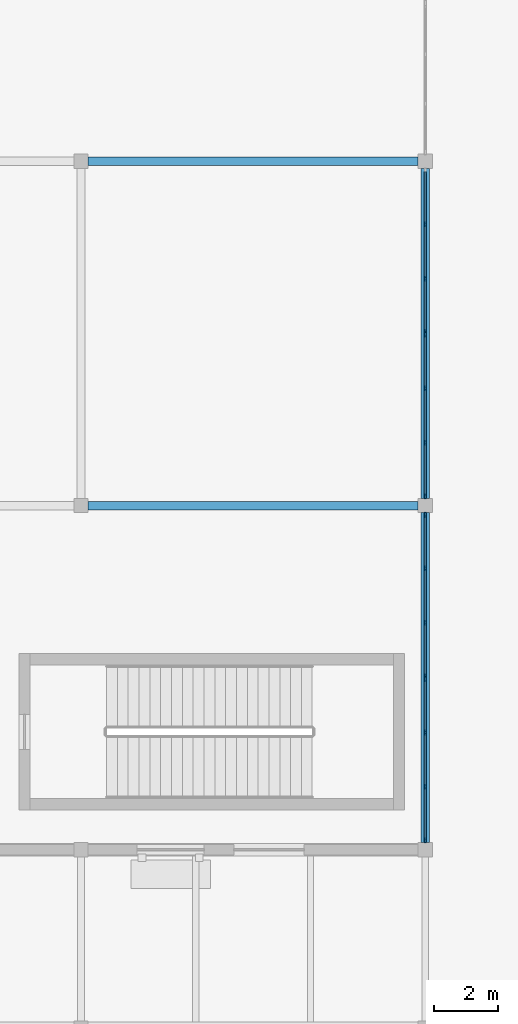
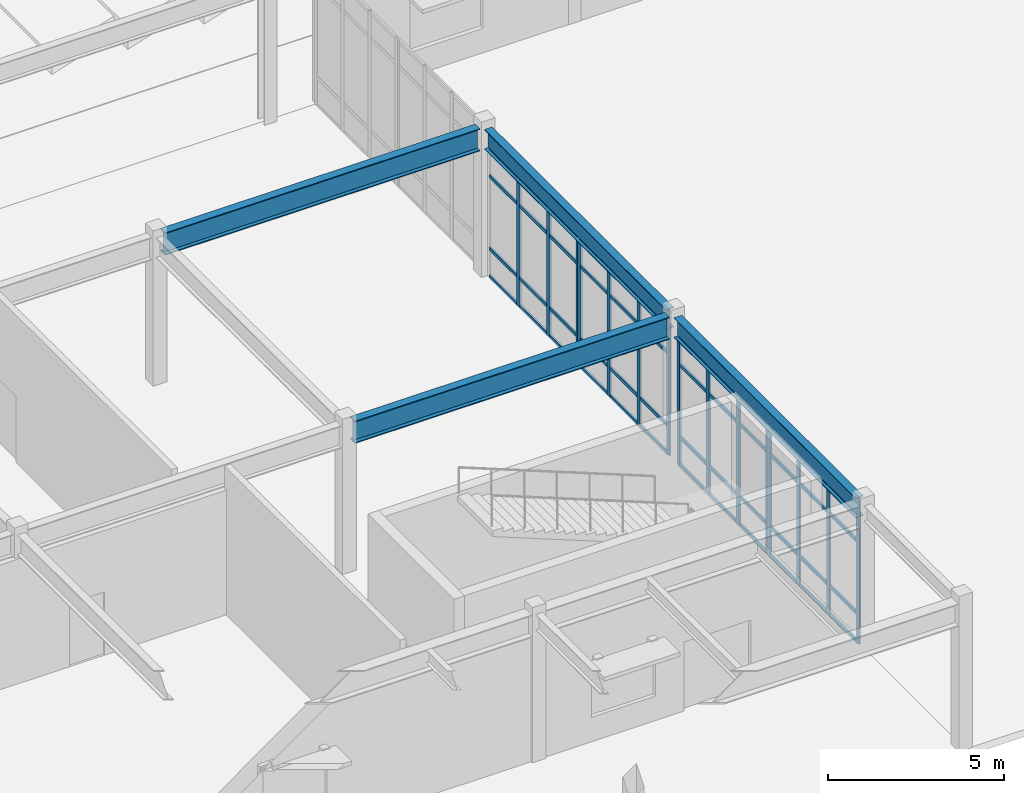
# One storey, part 10 of 54: 63 members, 4 beams, 4 elements without a shape of their own.
"""IFC4 building model written with IfcOpenShell, lengths in metres."""

from ifc_helpers import new_model, si_unit, direction, frame, origin, origin_2d, place, context, subcontext, project, spatial, rectangle, i_section, extrude, material, material_profile, profile_set, type_object, element, aggregate, save


model = new_model("IFC4")

# Units and contexts
model_context = context("Model", 3, precision=1e-05, world=origin(), true_north=direction((0.0, 1.0)))
body_context = subcontext(model_context, "Body", "Model", "MODEL_VIEW")
ifc_project = project(units=[si_unit("LENGTHUNIT", "METRE"), si_unit("AREAUNIT", "SQUARE_METRE"), si_unit("VOLUMEUNIT", "CUBIC_METRE"), si_unit("PLANEANGLEUNIT", "RADIAN"), si_unit("MASSUNIT", "GRAM", prefix="KILO")], contexts=[model_context])

# Site, building, storey
site_placement = place(None, origin())
site = spatial("IfcSite", under=ifc_project, at=site_placement, CompositionType="ELEMENT")
building_placement = place(site_placement, origin())
building = spatial("IfcBuilding", under=site, at=building_placement, Name="Veldera Park Congress Hotel", CompositionType="ELEMENT")
storey_placement = place(building_placement, origin())
storey = spatial("IfcBuildingStorey", under=building, at=storey_placement, Name="L00", CompositionType="ELEMENT", Elevation=0.0)

# Beams
ifc_material_1 = material(Name="Steel ASTM A992 Gr.50", Category="steel")
ifc_material_profile_1 = material_profile(ifc_material_1, i_section(OverallWidth=0.256103515625, OverallDepth=0.693115234375, WebThickness=0.014404296875, FlangeThickness=0.023681640625, at=origin_2d()), Name="W27X114")
ifc_profile_set_1 = profile_set([ifc_material_profile_1], Name="Steel ASTM A992 Gr.50")
beam_type_1 = type_object("IfcBeamType", Name="BM-W27", PredefinedType="BEAM", material=ifc_profile_set_1)
for number, where, z_axis, x_axis, name in (
    (1, (-45.800048828125, -51.97509765625, 4.7734375), (0.0, 1.0, 0.0), (-1.0, 0.0, 0.0), "L00 Girder BM-W27 417"),
    (2, (-45.800048828125, -41.175048828125, 4.7734375), (0.0, 1.0, 0.0), (-1.0, 0.0, 0.0), "L00 Girder BM-W27 418"),
):
    element("IfcBeam", number, at=place(storey_placement, frame(where, z_axis=z_axis, x_axis=x_axis)), inside=storey, type_object=beam_type_1, Name=name, PredefinedType="BEAM", context=body_context, shape_type="SweptSolid", body=[
        extrude(i_section(OverallWidth=0.256103515625, OverallDepth=0.693115234375, WebThickness=0.014404296875, FlangeThickness=0.023681640625, at=origin_2d()), origin(), (0.0, 0.0, 1.0), 10.35009765625),
    ])
ifc_material_profile_2 = material_profile(ifc_material_1, i_section(OverallWidth=0.26708984375, OverallDepth=0.779052734375, WebThickness=0.0166015625, FlangeThickness=0.030029296875, at=origin_2d()), Name="W30X148")
ifc_profile_set_2 = profile_set([ifc_material_profile_2], Name="Steel ASTM A992 Gr.50")
beam_type_2 = type_object("IfcBeamType", Name="BM-W30", PredefinedType="BEAM", material=ifc_profile_set_2)
for number, where, z_axis, x_axis, name in (
    (3, (-56.375, -41.39990234375, 4.73046875), (1.0, 0.0, 0.0), (0.0, 1.0, 0.0), "L00 Girder BM-W30 288"),
    (4, (-56.375, -30.60009765625, 4.73046875), (1.0, 0.0, 0.0), (0.0, 1.0, 0.0), "L00 Girder BM-W30 294"),
):
    element("IfcBeam", number, at=place(storey_placement, frame(where, z_axis=z_axis, x_axis=x_axis)), inside=storey, type_object=beam_type_2, Name=name, PredefinedType="BEAM", context=body_context, shape_type="SweptSolid", body=[
        extrude(i_section(OverallWidth=0.26708984375, OverallDepth=0.779052734375, WebThickness=0.0166015625, FlangeThickness=0.030029296875, at=origin_2d()), origin(), (0.0, 0.0, 1.0), 10.35009765625),
    ])

# Curtain wall, members
ifc_material_2 = material(Name="Low-E Triple Insulating Glass Unit (SHGC 0.22)", Category="glass")
curtain_wall_type = type_object("IfcCurtainWallType", Name="CW-SPA", PredefinedType="NOTDEFINED", material=ifc_material_2)
curtain_wall_1_placement = place(storey_placement, origin())
curtain_wall_1 = element("IfcCurtainWall", 5, at=curtain_wall_1_placement, inside=storey, type_object=curtain_wall_type, Name="L00 Curtain Wall CW3-V3E-L00-005", PredefinedType="NOTDEFINED")
ifc_material_3 = material(Name="Anodised Aluminium Alloy 6063-T6", Category="aluminium")
ifc_material_profile_3 = material_profile(ifc_material_3, rectangle(XDim=0.06005859375, YDim=0.159912109375, at=origin_2d()), Name="ALU 60x160")
ifc_profile_set_3 = profile_set([ifc_material_profile_3], Name="Anodised Aluminium Alloy 6063-T6")
member_type_1 = type_object("IfcMemberType", Name="CWM-160", PredefinedType="MULLION", material=ifc_profile_set_3)
member_1_placement = place(storey_placement, frame((-45.800048828125, -51.905029296875, 0.0), z_axis=(0.0, 0.0, 1.0), x_axis=(-1.0, 0.0, 0.0)))
member_1 = element("IfcMember", 6, at=member_1_placement, type_object=member_type_1, Name="CW-SPA mullion 1", PredefinedType="MULLION", context=body_context, shape_type="SweptSolid", body=[
    extrude(rectangle(XDim=0.06005859375, YDim=0.159912109375, at=origin_2d()), origin(), (0.0, 0.0, 1.0), 4.422119140625),
])
member_2_placement = place(storey_placement, frame((-45.800048828125, -50.228271484375, 0.0), z_axis=(0.0, 0.0, 1.0), x_axis=(-1.0, 0.0, 0.0)))
member_2 = element("IfcMember", 7, at=member_2_placement, type_object=member_type_1, Name="CW-SPA mullion 2", PredefinedType="MULLION", context=body_context, shape_type="SweptSolid", body=[
    extrude(rectangle(XDim=0.06005859375, YDim=0.159912109375, at=origin_2d()), origin(), (0.0, 0.0, 1.0), 4.422119140625),
])
member_3_placement = place(storey_placement, frame((-45.800048828125, -48.521728515625, 0.0), z_axis=(0.0, 0.0, 1.0), x_axis=(-1.0, 0.0, 0.0)))
member_3 = element("IfcMember", 8, at=member_3_placement, type_object=member_type_1, Name="CW-SPA mullion 3", PredefinedType="MULLION", context=body_context, shape_type="SweptSolid", body=[
    extrude(rectangle(XDim=0.06005859375, YDim=0.159912109375, at=origin_2d()), origin(), (0.0, 0.0, 1.0), 4.422119140625),
])
member_4_placement = place(storey_placement, frame((-45.800048828125, -46.844970703125, 0.0), z_axis=(0.0, 0.0, 1.0), x_axis=(-1.0, 0.0, 0.0)))
member_4 = element("IfcMember", 9, at=member_4_placement, type_object=member_type_1, Name="CW-SPA mullion 4", PredefinedType="MULLION", context=body_context, shape_type="SweptSolid", body=[
    extrude(rectangle(XDim=0.06005859375, YDim=0.159912109375, at=origin_2d()), origin(), (0.0, 0.0, 1.0), 4.422119140625),
])

curtain_wall_2_placement = place(storey_placement, origin())
curtain_wall_2 = element("IfcCurtainWall", 10, at=curtain_wall_2_placement, inside=storey, type_object=curtain_wall_type, Name="L00 Curtain Wall CW3-V3E-L00-006", PredefinedType="NOTDEFINED")
member_5_placement = place(storey_placement, frame((-45.800048828125, -46.7548828125, 0.0), z_axis=(0.0, 0.0, 1.0), x_axis=(-1.0, 0.0, 0.0)))
member_5 = element("IfcMember", 11, at=member_5_placement, type_object=member_type_1, Name="CW-SPA mullion 1", PredefinedType="MULLION", context=body_context, shape_type="SweptSolid", body=[
    extrude(rectangle(XDim=0.06005859375, YDim=0.159912109375, at=origin_2d()), origin(), (0.0, 0.0, 1.0), 4.422119140625),
])
member_6_placement = place(storey_placement, frame((-45.800048828125, -45.078369140625, 0.0), z_axis=(0.0, 0.0, 1.0), x_axis=(-1.0, 0.0, 0.0)))
member_6 = element("IfcMember", 12, at=member_6_placement, type_object=member_type_1, Name="CW-SPA mullion 2", PredefinedType="MULLION", context=body_context, shape_type="SweptSolid", body=[
    extrude(rectangle(XDim=0.06005859375, YDim=0.159912109375, at=origin_2d()), origin(), (0.0, 0.0, 1.0), 4.422119140625),
])
member_7_placement = place(storey_placement, frame((-45.800048828125, -43.37158203125, 0.0), z_axis=(0.0, 0.0, 1.0), x_axis=(-1.0, 0.0, 0.0)))
member_7 = element("IfcMember", 13, at=member_7_placement, type_object=member_type_1, Name="CW-SPA mullion 3", PredefinedType="MULLION", context=body_context, shape_type="SweptSolid", body=[
    extrude(rectangle(XDim=0.06005859375, YDim=0.159912109375, at=origin_2d()), origin(), (0.0, 0.0, 1.0), 4.422119140625),
])
member_8_placement = place(storey_placement, frame((-45.800048828125, -41.695068359375, 0.0), z_axis=(0.0, 0.0, 1.0), x_axis=(-1.0, 0.0, 0.0)))
member_8 = element("IfcMember", 14, at=member_8_placement, type_object=member_type_1, Name="CW-SPA mullion 4", PredefinedType="MULLION", context=body_context, shape_type="SweptSolid", body=[
    extrude(rectangle(XDim=0.06005859375, YDim=0.159912109375, at=origin_2d()), origin(), (0.0, 0.0, 1.0), 4.422119140625),
])

curtain_wall_3_placement = place(storey_placement, origin())
curtain_wall_3 = element("IfcCurtainWall", 15, at=curtain_wall_3_placement, inside=storey, type_object=curtain_wall_type, Name="L00 Curtain Wall CW3-V3E-L00-007", PredefinedType="NOTDEFINED")
member_9_placement = place(storey_placement, frame((-45.800048828125, -41.10498046875, 0.0), z_axis=(0.0, 0.0, 1.0), x_axis=(-1.0, 0.0, 0.0)))
member_9 = element("IfcMember", 16, at=member_9_placement, type_object=member_type_1, Name="CW-SPA mullion 1", PredefinedType="MULLION", context=body_context, shape_type="SweptSolid", body=[
    extrude(rectangle(XDim=0.06005859375, YDim=0.159912109375, at=origin_2d()), origin(), (0.0, 0.0, 1.0), 4.422119140625),
])
member_10_placement = place(storey_placement, frame((-45.800048828125, -39.42822265625, 0.0), z_axis=(0.0, 0.0, 1.0), x_axis=(-1.0, 0.0, 0.0)))
member_10 = element("IfcMember", 17, at=member_10_placement, type_object=member_type_1, Name="CW-SPA mullion 2", PredefinedType="MULLION", context=body_context, shape_type="SweptSolid", body=[
    extrude(rectangle(XDim=0.06005859375, YDim=0.159912109375, at=origin_2d()), origin(), (0.0, 0.0, 1.0), 4.422119140625),
])
member_11_placement = place(storey_placement, frame((-45.800048828125, -37.7216796875, 0.0), z_axis=(0.0, 0.0, 1.0), x_axis=(-1.0, 0.0, 0.0)))
member_11 = element("IfcMember", 18, at=member_11_placement, type_object=member_type_1, Name="CW-SPA mullion 3", PredefinedType="MULLION", context=body_context, shape_type="SweptSolid", body=[
    extrude(rectangle(XDim=0.06005859375, YDim=0.159912109375, at=origin_2d()), origin(), (0.0, 0.0, 1.0), 4.422119140625),
])
member_12_placement = place(storey_placement, frame((-45.800048828125, -36.044921875, 0.0), z_axis=(0.0, 0.0, 1.0), x_axis=(-1.0, 0.0, 0.0)))
member_12 = element("IfcMember", 19, at=member_12_placement, type_object=member_type_1, Name="CW-SPA mullion 4", PredefinedType="MULLION", context=body_context, shape_type="SweptSolid", body=[
    extrude(rectangle(XDim=0.06005859375, YDim=0.159912109375, at=origin_2d()), origin(), (0.0, 0.0, 1.0), 4.422119140625),
])

curtain_wall_4_placement = place(storey_placement, origin())
curtain_wall_4 = element("IfcCurtainWall", 20, at=curtain_wall_4_placement, inside=storey, type_object=curtain_wall_type, Name="L00 Curtain Wall CW3-V3E-L00-008", PredefinedType="NOTDEFINED")
member_13_placement = place(storey_placement, frame((-45.800048828125, -35.955078125, 0.0), z_axis=(0.0, 0.0, 1.0), x_axis=(-1.0, 0.0, 0.0)))
member_13 = element("IfcMember", 21, at=member_13_placement, type_object=member_type_1, Name="CW-SPA mullion 1", PredefinedType="MULLION", context=body_context, shape_type="SweptSolid", body=[
    extrude(rectangle(XDim=0.06005859375, YDim=0.159912109375, at=origin_2d()), origin(), (0.0, 0.0, 1.0), 4.422119140625),
])
member_14_placement = place(storey_placement, frame((-45.800048828125, -34.2783203125, 0.0), z_axis=(0.0, 0.0, 1.0), x_axis=(-1.0, 0.0, 0.0)))
member_14 = element("IfcMember", 22, at=member_14_placement, type_object=member_type_1, Name="CW-SPA mullion 2", PredefinedType="MULLION", context=body_context, shape_type="SweptSolid", body=[
    extrude(rectangle(XDim=0.06005859375, YDim=0.159912109375, at=origin_2d()), origin(), (0.0, 0.0, 1.0), 4.422119140625),
])
member_15_placement = place(storey_placement, frame((-45.800048828125, -32.57177734375, 0.0), z_axis=(0.0, 0.0, 1.0), x_axis=(-1.0, 0.0, 0.0)))
member_15 = element("IfcMember", 23, at=member_15_placement, type_object=member_type_1, Name="CW-SPA mullion 3", PredefinedType="MULLION", context=body_context, shape_type="SweptSolid", body=[
    extrude(rectangle(XDim=0.06005859375, YDim=0.159912109375, at=origin_2d()), origin(), (0.0, 0.0, 1.0), 4.422119140625),
])

# Member
ifc_material_profile_4 = material_profile(ifc_material_3, rectangle(XDim=0.06005859375, YDim=0.1201171875, at=origin_2d()), Name="ALU 60x120")
ifc_profile_set_4 = profile_set([ifc_material_profile_4], Name="Anodised Aluminium Alloy 6063-T6")
member_type_2 = type_object("IfcMemberType", Name="CWT-120", PredefinedType="USERDEFINED", material=ifc_profile_set_4)
member_16_placement = place(storey_placement, frame((-45.800048828125, -51.875, 0.030029296875), z_axis=(0.0, 1.0, 0.0), x_axis=(-1.0, 0.0, 0.0)))
member_16 = element("IfcMember", 24, at=member_16_placement, type_object=member_type_2, Name="CW-SPA transom 1.1", ObjectType="TRANSOM", PredefinedType="USERDEFINED", context=body_context, shape_type="SweptSolid", body=[
    extrude(rectangle(XDim=0.06005859375, YDim=0.1201171875, at=origin_2d()), origin(), (0.0, 0.0, 1.0), 1.61669921875),
])

member_17_placement = place(storey_placement, frame((-45.800048828125, -51.875, 1.0), z_axis=(0.0, 1.0, 0.0), x_axis=(-1.0, 0.0, 0.0)))
member_17 = element("IfcMember", 25, at=member_17_placement, type_object=member_type_2, Name="CW-SPA transom 1.2", ObjectType="TRANSOM", PredefinedType="USERDEFINED", context=body_context, shape_type="SweptSolid", body=[
    extrude(rectangle(XDim=0.06005859375, YDim=0.1201171875, at=origin_2d()), origin(), (0.0, 0.0, 1.0), 1.61669921875),
])

member_18_placement = place(storey_placement, frame((-45.800048828125, -51.875, 3.52197265625), z_axis=(0.0, 1.0, 0.0), x_axis=(-1.0, 0.0, 0.0)))
member_18 = element("IfcMember", 26, at=member_18_placement, type_object=member_type_2, Name="CW-SPA transom 1.3", ObjectType="TRANSOM", PredefinedType="USERDEFINED", context=body_context, shape_type="SweptSolid", body=[
    extrude(rectangle(XDim=0.06005859375, YDim=0.1201171875, at=origin_2d()), origin(), (0.0, 0.0, 1.0), 1.61669921875),
])

member_19_placement = place(storey_placement, frame((-45.800048828125, -51.875, 4.39208984375), z_axis=(0.0, 1.0, 0.0), x_axis=(-1.0, 0.0, 0.0)))
member_19 = element("IfcMember", 27, at=member_19_placement, type_object=member_type_2, Name="CW-SPA transom 1.4", ObjectType="TRANSOM", PredefinedType="USERDEFINED", context=body_context, shape_type="SweptSolid", body=[
    extrude(rectangle(XDim=0.06005859375, YDim=0.1201171875, at=origin_2d()), origin(), (0.0, 0.0, 1.0), 1.61669921875),
])

member_20_placement = place(storey_placement, frame((-45.800048828125, -50.1982421875, 0.030029296875), z_axis=(0.0, 1.0, 0.0), x_axis=(-1.0, 0.0, 0.0)))
member_20 = element("IfcMember", 28, at=member_20_placement, type_object=member_type_2, Name="CW-SPA transom 2.1", ObjectType="TRANSOM", PredefinedType="USERDEFINED", context=body_context, shape_type="SweptSolid", body=[
    extrude(rectangle(XDim=0.06005859375, YDim=0.1201171875, at=origin_2d()), origin(), (0.0, 0.0, 1.0), 1.646484375),
])

member_21_placement = place(storey_placement, frame((-45.800048828125, -50.1982421875, 1.0), z_axis=(0.0, 1.0, 0.0), x_axis=(-1.0, 0.0, 0.0)))
member_21 = element("IfcMember", 29, at=member_21_placement, type_object=member_type_2, Name="CW-SPA transom 2.2", ObjectType="TRANSOM", PredefinedType="USERDEFINED", context=body_context, shape_type="SweptSolid", body=[
    extrude(rectangle(XDim=0.06005859375, YDim=0.1201171875, at=origin_2d()), origin(), (0.0, 0.0, 1.0), 1.646484375),
])

member_22_placement = place(storey_placement, frame((-45.800048828125, -50.1982421875, 3.52197265625), z_axis=(0.0, 1.0, 0.0), x_axis=(-1.0, 0.0, 0.0)))
member_22 = element("IfcMember", 30, at=member_22_placement, type_object=member_type_2, Name="CW-SPA transom 2.3", ObjectType="TRANSOM", PredefinedType="USERDEFINED", context=body_context, shape_type="SweptSolid", body=[
    extrude(rectangle(XDim=0.06005859375, YDim=0.1201171875, at=origin_2d()), origin(), (0.0, 0.0, 1.0), 1.646484375),
])

member_23_placement = place(storey_placement, frame((-45.800048828125, -50.1982421875, 4.39208984375), z_axis=(0.0, 1.0, 0.0), x_axis=(-1.0, 0.0, 0.0)))
member_23 = element("IfcMember", 31, at=member_23_placement, type_object=member_type_2, Name="CW-SPA transom 2.4", ObjectType="TRANSOM", PredefinedType="USERDEFINED", context=body_context, shape_type="SweptSolid", body=[
    extrude(rectangle(XDim=0.06005859375, YDim=0.1201171875, at=origin_2d()), origin(), (0.0, 0.0, 1.0), 1.646484375),
])

member_24_placement = place(storey_placement, frame((-45.800048828125, -48.49169921875, 0.030029296875), z_axis=(0.0, 1.0, 0.0), x_axis=(-1.0, 0.0, 0.0)))
member_24 = element("IfcMember", 32, at=member_24_placement, type_object=member_type_2, Name="CW-SPA transom 3.1", ObjectType="TRANSOM", PredefinedType="USERDEFINED", context=body_context, shape_type="SweptSolid", body=[
    extrude(rectangle(XDim=0.06005859375, YDim=0.1201171875, at=origin_2d()), origin(), (0.0, 0.0, 1.0), 1.61669921875),
])

member_25_placement = place(storey_placement, frame((-45.800048828125, -48.49169921875, 1.0), z_axis=(0.0, 1.0, 0.0), x_axis=(-1.0, 0.0, 0.0)))
member_25 = element("IfcMember", 33, at=member_25_placement, type_object=member_type_2, Name="CW-SPA transom 3.2", ObjectType="TRANSOM", PredefinedType="USERDEFINED", context=body_context, shape_type="SweptSolid", body=[
    extrude(rectangle(XDim=0.06005859375, YDim=0.1201171875, at=origin_2d()), origin(), (0.0, 0.0, 1.0), 1.61669921875),
])

member_26_placement = place(storey_placement, frame((-45.800048828125, -48.49169921875, 3.52197265625), z_axis=(0.0, 1.0, 0.0), x_axis=(-1.0, 0.0, 0.0)))
member_26 = element("IfcMember", 34, at=member_26_placement, type_object=member_type_2, Name="CW-SPA transom 3.3", ObjectType="TRANSOM", PredefinedType="USERDEFINED", context=body_context, shape_type="SweptSolid", body=[
    extrude(rectangle(XDim=0.06005859375, YDim=0.1201171875, at=origin_2d()), origin(), (0.0, 0.0, 1.0), 1.61669921875),
])

member_27_placement = place(storey_placement, frame((-45.800048828125, -48.49169921875, 4.39208984375), z_axis=(0.0, 1.0, 0.0), x_axis=(-1.0, 0.0, 0.0)))
member_27 = element("IfcMember", 35, at=member_27_placement, type_object=member_type_2, Name="CW-SPA transom 3.4", ObjectType="TRANSOM", PredefinedType="USERDEFINED", context=body_context, shape_type="SweptSolid", body=[
    extrude(rectangle(XDim=0.06005859375, YDim=0.1201171875, at=origin_2d()), origin(), (0.0, 0.0, 1.0), 1.61669921875),
])

aggregate(curtain_wall_1, [member_1, member_2, member_3, member_4, member_16, member_17, member_18, member_19, member_20, member_21, member_22, member_23, member_24, member_25, member_26, member_27])

member_28_placement = place(storey_placement, frame((-45.800048828125, -46.72509765625, 0.030029296875), z_axis=(0.0, 1.0, 0.0), x_axis=(-1.0, 0.0, 0.0)))
member_28 = element("IfcMember", 36, at=member_28_placement, type_object=member_type_2, Name="CW-SPA transom 1.1", ObjectType="TRANSOM", PredefinedType="USERDEFINED", context=body_context, shape_type="SweptSolid", body=[
    extrude(rectangle(XDim=0.06005859375, YDim=0.1201171875, at=origin_2d()), origin(), (0.0, 0.0, 1.0), 1.61669921875),
])

member_29_placement = place(storey_placement, frame((-45.800048828125, -46.72509765625, 1.0), z_axis=(0.0, 1.0, 0.0), x_axis=(-1.0, 0.0, 0.0)))
member_29 = element("IfcMember", 37, at=member_29_placement, type_object=member_type_2, Name="CW-SPA transom 1.2", ObjectType="TRANSOM", PredefinedType="USERDEFINED", context=body_context, shape_type="SweptSolid", body=[
    extrude(rectangle(XDim=0.06005859375, YDim=0.1201171875, at=origin_2d()), origin(), (0.0, 0.0, 1.0), 1.61669921875),
])

member_30_placement = place(storey_placement, frame((-45.800048828125, -46.72509765625, 3.52197265625), z_axis=(0.0, 1.0, 0.0), x_axis=(-1.0, 0.0, 0.0)))
member_30 = element("IfcMember", 38, at=member_30_placement, type_object=member_type_2, Name="CW-SPA transom 1.3", ObjectType="TRANSOM", PredefinedType="USERDEFINED", context=body_context, shape_type="SweptSolid", body=[
    extrude(rectangle(XDim=0.06005859375, YDim=0.1201171875, at=origin_2d()), origin(), (0.0, 0.0, 1.0), 1.61669921875),
])

member_31_placement = place(storey_placement, frame((-45.800048828125, -46.72509765625, 4.39208984375), z_axis=(0.0, 1.0, 0.0), x_axis=(-1.0, 0.0, 0.0)))
member_31 = element("IfcMember", 39, at=member_31_placement, type_object=member_type_2, Name="CW-SPA transom 1.4", ObjectType="TRANSOM", PredefinedType="USERDEFINED", context=body_context, shape_type="SweptSolid", body=[
    extrude(rectangle(XDim=0.06005859375, YDim=0.1201171875, at=origin_2d()), origin(), (0.0, 0.0, 1.0), 1.61669921875),
])

member_32_placement = place(storey_placement, frame((-45.800048828125, -45.04833984375, 0.030029296875), z_axis=(0.0, 1.0, 0.0), x_axis=(-1.0, 0.0, 0.0)))
member_32 = element("IfcMember", 40, at=member_32_placement, type_object=member_type_2, Name="CW-SPA transom 2.1", ObjectType="TRANSOM", PredefinedType="USERDEFINED", context=body_context, shape_type="SweptSolid", body=[
    extrude(rectangle(XDim=0.06005859375, YDim=0.1201171875, at=origin_2d()), origin(), (0.0, 0.0, 1.0), 1.646728515625),
])

member_33_placement = place(storey_placement, frame((-45.800048828125, -45.04833984375, 1.0), z_axis=(0.0, 1.0, 0.0), x_axis=(-1.0, 0.0, 0.0)))
member_33 = element("IfcMember", 41, at=member_33_placement, type_object=member_type_2, Name="CW-SPA transom 2.2", ObjectType="TRANSOM", PredefinedType="USERDEFINED", context=body_context, shape_type="SweptSolid", body=[
    extrude(rectangle(XDim=0.06005859375, YDim=0.1201171875, at=origin_2d()), origin(), (0.0, 0.0, 1.0), 1.646728515625),
])

member_34_placement = place(storey_placement, frame((-45.800048828125, -45.04833984375, 3.52197265625), z_axis=(0.0, 1.0, 0.0), x_axis=(-1.0, 0.0, 0.0)))
member_34 = element("IfcMember", 42, at=member_34_placement, type_object=member_type_2, Name="CW-SPA transom 2.3", ObjectType="TRANSOM", PredefinedType="USERDEFINED", context=body_context, shape_type="SweptSolid", body=[
    extrude(rectangle(XDim=0.06005859375, YDim=0.1201171875, at=origin_2d()), origin(), (0.0, 0.0, 1.0), 1.646728515625),
])

member_35_placement = place(storey_placement, frame((-45.800048828125, -45.04833984375, 4.39208984375), z_axis=(0.0, 1.0, 0.0), x_axis=(-1.0, 0.0, 0.0)))
member_35 = element("IfcMember", 43, at=member_35_placement, type_object=member_type_2, Name="CW-SPA transom 2.4", ObjectType="TRANSOM", PredefinedType="USERDEFINED", context=body_context, shape_type="SweptSolid", body=[
    extrude(rectangle(XDim=0.06005859375, YDim=0.1201171875, at=origin_2d()), origin(), (0.0, 0.0, 1.0), 1.646728515625),
])

member_36_placement = place(storey_placement, frame((-45.800048828125, -43.341552734375, 0.030029296875), z_axis=(0.0, 1.0, 0.0), x_axis=(-1.0, 0.0, 0.0)))
member_36 = element("IfcMember", 44, at=member_36_placement, type_object=member_type_2, Name="CW-SPA transom 3.1", ObjectType="TRANSOM", PredefinedType="USERDEFINED", context=body_context, shape_type="SweptSolid", body=[
    extrude(rectangle(XDim=0.06005859375, YDim=0.1201171875, at=origin_2d()), origin(), (0.0, 0.0, 1.0), 1.616455078125),
])

member_37_placement = place(storey_placement, frame((-45.800048828125, -43.341552734375, 1.0), z_axis=(0.0, 1.0, 0.0), x_axis=(-1.0, 0.0, 0.0)))
member_37 = element("IfcMember", 45, at=member_37_placement, type_object=member_type_2, Name="CW-SPA transom 3.2", ObjectType="TRANSOM", PredefinedType="USERDEFINED", context=body_context, shape_type="SweptSolid", body=[
    extrude(rectangle(XDim=0.06005859375, YDim=0.1201171875, at=origin_2d()), origin(), (0.0, 0.0, 1.0), 1.616455078125),
])

member_38_placement = place(storey_placement, frame((-45.800048828125, -43.341552734375, 3.52197265625), z_axis=(0.0, 1.0, 0.0), x_axis=(-1.0, 0.0, 0.0)))
member_38 = element("IfcMember", 46, at=member_38_placement, type_object=member_type_2, Name="CW-SPA transom 3.3", ObjectType="TRANSOM", PredefinedType="USERDEFINED", context=body_context, shape_type="SweptSolid", body=[
    extrude(rectangle(XDim=0.06005859375, YDim=0.1201171875, at=origin_2d()), origin(), (0.0, 0.0, 1.0), 1.616455078125),
])

member_39_placement = place(storey_placement, frame((-45.800048828125, -43.341552734375, 4.39208984375), z_axis=(0.0, 1.0, 0.0), x_axis=(-1.0, 0.0, 0.0)))
member_39 = element("IfcMember", 47, at=member_39_placement, type_object=member_type_2, Name="CW-SPA transom 3.4", ObjectType="TRANSOM", PredefinedType="USERDEFINED", context=body_context, shape_type="SweptSolid", body=[
    extrude(rectangle(XDim=0.06005859375, YDim=0.1201171875, at=origin_2d()), origin(), (0.0, 0.0, 1.0), 1.616455078125),
])

aggregate(curtain_wall_2, [member_5, member_6, member_7, member_8, member_28, member_29, member_30, member_31, member_32, member_33, member_34, member_35, member_36, member_37, member_38, member_39])

member_40_placement = place(storey_placement, frame((-45.800048828125, -41.074951171875, 0.030029296875), z_axis=(0.0, 1.0, 0.0), x_axis=(-1.0, 0.0, 0.0)))
member_40 = element("IfcMember", 48, at=member_40_placement, type_object=member_type_2, Name="CW-SPA transom 1.1", ObjectType="TRANSOM", PredefinedType="USERDEFINED", context=body_context, shape_type="SweptSolid", body=[
    extrude(rectangle(XDim=0.06005859375, YDim=0.1201171875, at=origin_2d()), origin(), (0.0, 0.0, 1.0), 1.61669921875),
])

member_41_placement = place(storey_placement, frame((-45.800048828125, -41.074951171875, 1.0), z_axis=(0.0, 1.0, 0.0), x_axis=(-1.0, 0.0, 0.0)))
member_41 = element("IfcMember", 49, at=member_41_placement, type_object=member_type_2, Name="CW-SPA transom 1.2", ObjectType="TRANSOM", PredefinedType="USERDEFINED", context=body_context, shape_type="SweptSolid", body=[
    extrude(rectangle(XDim=0.06005859375, YDim=0.1201171875, at=origin_2d()), origin(), (0.0, 0.0, 1.0), 1.61669921875),
])

member_42_placement = place(storey_placement, frame((-45.800048828125, -41.074951171875, 3.52197265625), z_axis=(0.0, 1.0, 0.0), x_axis=(-1.0, 0.0, 0.0)))
member_42 = element("IfcMember", 50, at=member_42_placement, type_object=member_type_2, Name="CW-SPA transom 1.3", ObjectType="TRANSOM", PredefinedType="USERDEFINED", context=body_context, shape_type="SweptSolid", body=[
    extrude(rectangle(XDim=0.06005859375, YDim=0.1201171875, at=origin_2d()), origin(), (0.0, 0.0, 1.0), 1.61669921875),
])

member_43_placement = place(storey_placement, frame((-45.800048828125, -41.074951171875, 4.39208984375), z_axis=(0.0, 1.0, 0.0), x_axis=(-1.0, 0.0, 0.0)))
member_43 = element("IfcMember", 51, at=member_43_placement, type_object=member_type_2, Name="CW-SPA transom 1.4", ObjectType="TRANSOM", PredefinedType="USERDEFINED", context=body_context, shape_type="SweptSolid", body=[
    extrude(rectangle(XDim=0.06005859375, YDim=0.1201171875, at=origin_2d()), origin(), (0.0, 0.0, 1.0), 1.61669921875),
])

member_44_placement = place(storey_placement, frame((-45.800048828125, -39.3984375, 0.030029296875), z_axis=(0.0, 1.0, 0.0), x_axis=(-1.0, 0.0, 0.0)))
member_44 = element("IfcMember", 52, at=member_44_placement, type_object=member_type_2, Name="CW-SPA transom 2.1", ObjectType="TRANSOM", PredefinedType="USERDEFINED", context=body_context, shape_type="SweptSolid", body=[
    extrude(rectangle(XDim=0.06005859375, YDim=0.1201171875, at=origin_2d()), origin(), (0.0, 0.0, 1.0), 1.646728515625),
])

member_45_placement = place(storey_placement, frame((-45.800048828125, -39.3984375, 1.0), z_axis=(0.0, 1.0, 0.0), x_axis=(-1.0, 0.0, 0.0)))
member_45 = element("IfcMember", 53, at=member_45_placement, type_object=member_type_2, Name="CW-SPA transom 2.2", ObjectType="TRANSOM", PredefinedType="USERDEFINED", context=body_context, shape_type="SweptSolid", body=[
    extrude(rectangle(XDim=0.06005859375, YDim=0.1201171875, at=origin_2d()), origin(), (0.0, 0.0, 1.0), 1.646728515625),
])

member_46_placement = place(storey_placement, frame((-45.800048828125, -39.3984375, 3.52197265625), z_axis=(0.0, 1.0, 0.0), x_axis=(-1.0, 0.0, 0.0)))
member_46 = element("IfcMember", 54, at=member_46_placement, type_object=member_type_2, Name="CW-SPA transom 2.3", ObjectType="TRANSOM", PredefinedType="USERDEFINED", context=body_context, shape_type="SweptSolid", body=[
    extrude(rectangle(XDim=0.06005859375, YDim=0.1201171875, at=origin_2d()), origin(), (0.0, 0.0, 1.0), 1.646728515625),
])

member_47_placement = place(storey_placement, frame((-45.800048828125, -39.3984375, 4.39208984375), z_axis=(0.0, 1.0, 0.0), x_axis=(-1.0, 0.0, 0.0)))
member_47 = element("IfcMember", 55, at=member_47_placement, type_object=member_type_2, Name="CW-SPA transom 2.4", ObjectType="TRANSOM", PredefinedType="USERDEFINED", context=body_context, shape_type="SweptSolid", body=[
    extrude(rectangle(XDim=0.06005859375, YDim=0.1201171875, at=origin_2d()), origin(), (0.0, 0.0, 1.0), 1.646728515625),
])

member_48_placement = place(storey_placement, frame((-45.800048828125, -37.691650390625, 0.030029296875), z_axis=(0.0, 1.0, 0.0), x_axis=(-1.0, 0.0, 0.0)))
member_48 = element("IfcMember", 56, at=member_48_placement, type_object=member_type_2, Name="CW-SPA transom 3.1", ObjectType="TRANSOM", PredefinedType="USERDEFINED", context=body_context, shape_type="SweptSolid", body=[
    extrude(rectangle(XDim=0.06005859375, YDim=0.1201171875, at=origin_2d()), origin(), (0.0, 0.0, 1.0), 1.61669921875),
])

member_49_placement = place(storey_placement, frame((-45.800048828125, -37.691650390625, 1.0), z_axis=(0.0, 1.0, 0.0), x_axis=(-1.0, 0.0, 0.0)))
member_49 = element("IfcMember", 57, at=member_49_placement, type_object=member_type_2, Name="CW-SPA transom 3.2", ObjectType="TRANSOM", PredefinedType="USERDEFINED", context=body_context, shape_type="SweptSolid", body=[
    extrude(rectangle(XDim=0.06005859375, YDim=0.1201171875, at=origin_2d()), origin(), (0.0, 0.0, 1.0), 1.61669921875),
])

member_50_placement = place(storey_placement, frame((-45.800048828125, -37.691650390625, 3.52197265625), z_axis=(0.0, 1.0, 0.0), x_axis=(-1.0, 0.0, 0.0)))
member_50 = element("IfcMember", 58, at=member_50_placement, type_object=member_type_2, Name="CW-SPA transom 3.3", ObjectType="TRANSOM", PredefinedType="USERDEFINED", context=body_context, shape_type="SweptSolid", body=[
    extrude(rectangle(XDim=0.06005859375, YDim=0.1201171875, at=origin_2d()), origin(), (0.0, 0.0, 1.0), 1.61669921875),
])

member_51_placement = place(storey_placement, frame((-45.800048828125, -37.691650390625, 4.39208984375), z_axis=(0.0, 1.0, 0.0), x_axis=(-1.0, 0.0, 0.0)))
member_51 = element("IfcMember", 59, at=member_51_placement, type_object=member_type_2, Name="CW-SPA transom 3.4", ObjectType="TRANSOM", PredefinedType="USERDEFINED", context=body_context, shape_type="SweptSolid", body=[
    extrude(rectangle(XDim=0.06005859375, YDim=0.1201171875, at=origin_2d()), origin(), (0.0, 0.0, 1.0), 1.61669921875),
])

aggregate(curtain_wall_3, [member_9, member_10, member_11, member_12, member_40, member_41, member_42, member_43, member_44, member_45, member_46, member_47, member_48, member_49, member_50, member_51])

member_52_placement = place(storey_placement, frame((-45.800048828125, -35.925048828125, 0.030029296875), z_axis=(0.0, 1.0, 0.0), x_axis=(-1.0, 0.0, 0.0)))
member_52 = element("IfcMember", 60, at=member_52_placement, type_object=member_type_2, Name="CW-SPA transom 1.1", ObjectType="TRANSOM", PredefinedType="USERDEFINED", context=body_context, shape_type="SweptSolid", body=[
    extrude(rectangle(XDim=0.06005859375, YDim=0.1201171875, at=origin_2d()), origin(), (0.0, 0.0, 1.0), 1.61669921875),
])

member_53_placement = place(storey_placement, frame((-45.800048828125, -35.925048828125, 1.0), z_axis=(0.0, 1.0, 0.0), x_axis=(-1.0, 0.0, 0.0)))
member_53 = element("IfcMember", 61, at=member_53_placement, type_object=member_type_2, Name="CW-SPA transom 1.2", ObjectType="TRANSOM", PredefinedType="USERDEFINED", context=body_context, shape_type="SweptSolid", body=[
    extrude(rectangle(XDim=0.06005859375, YDim=0.1201171875, at=origin_2d()), origin(), (0.0, 0.0, 1.0), 1.61669921875),
])

member_54_placement = place(storey_placement, frame((-45.800048828125, -35.925048828125, 3.52197265625), z_axis=(0.0, 1.0, 0.0), x_axis=(-1.0, 0.0, 0.0)))
member_54 = element("IfcMember", 62, at=member_54_placement, type_object=member_type_2, Name="CW-SPA transom 1.3", ObjectType="TRANSOM", PredefinedType="USERDEFINED", context=body_context, shape_type="SweptSolid", body=[
    extrude(rectangle(XDim=0.06005859375, YDim=0.1201171875, at=origin_2d()), origin(), (0.0, 0.0, 1.0), 1.61669921875),
])

member_55_placement = place(storey_placement, frame((-45.800048828125, -35.925048828125, 4.39208984375), z_axis=(0.0, 1.0, 0.0), x_axis=(-1.0, 0.0, 0.0)))
member_55 = element("IfcMember", 63, at=member_55_placement, type_object=member_type_2, Name="CW-SPA transom 1.4", ObjectType="TRANSOM", PredefinedType="USERDEFINED", context=body_context, shape_type="SweptSolid", body=[
    extrude(rectangle(XDim=0.06005859375, YDim=0.1201171875, at=origin_2d()), origin(), (0.0, 0.0, 1.0), 1.61669921875),
])

member_56_placement = place(storey_placement, frame((-45.800048828125, -34.248291015625, 0.030029296875), z_axis=(0.0, 1.0, 0.0), x_axis=(-1.0, 0.0, 0.0)))
member_56 = element("IfcMember", 64, at=member_56_placement, type_object=member_type_2, Name="CW-SPA transom 2.1", ObjectType="TRANSOM", PredefinedType="USERDEFINED", context=body_context, shape_type="SweptSolid", body=[
    extrude(rectangle(XDim=0.06005859375, YDim=0.1201171875, at=origin_2d()), origin(), (0.0, 0.0, 1.0), 1.646728515625),
])

member_57_placement = place(storey_placement, frame((-45.800048828125, -34.248291015625, 1.0), z_axis=(0.0, 1.0, 0.0), x_axis=(-1.0, 0.0, 0.0)))
member_57 = element("IfcMember", 65, at=member_57_placement, type_object=member_type_2, Name="CW-SPA transom 2.2", ObjectType="TRANSOM", PredefinedType="USERDEFINED", context=body_context, shape_type="SweptSolid", body=[
    extrude(rectangle(XDim=0.06005859375, YDim=0.1201171875, at=origin_2d()), origin(), (0.0, 0.0, 1.0), 1.646728515625),
])

member_58_placement = place(storey_placement, frame((-45.800048828125, -34.248291015625, 3.52197265625), z_axis=(0.0, 1.0, 0.0), x_axis=(-1.0, 0.0, 0.0)))
member_58 = element("IfcMember", 66, at=member_58_placement, type_object=member_type_2, Name="CW-SPA transom 2.3", ObjectType="TRANSOM", PredefinedType="USERDEFINED", context=body_context, shape_type="SweptSolid", body=[
    extrude(rectangle(XDim=0.06005859375, YDim=0.1201171875, at=origin_2d()), origin(), (0.0, 0.0, 1.0), 1.646728515625),
])

member_59_placement = place(storey_placement, frame((-45.800048828125, -34.248291015625, 4.39208984375), z_axis=(0.0, 1.0, 0.0), x_axis=(-1.0, 0.0, 0.0)))
member_59 = element("IfcMember", 67, at=member_59_placement, type_object=member_type_2, Name="CW-SPA transom 2.4", ObjectType="TRANSOM", PredefinedType="USERDEFINED", context=body_context, shape_type="SweptSolid", body=[
    extrude(rectangle(XDim=0.06005859375, YDim=0.1201171875, at=origin_2d()), origin(), (0.0, 0.0, 1.0), 1.646728515625),
])

member_60_placement = place(storey_placement, frame((-45.800048828125, -32.541748046875, 0.030029296875), z_axis=(0.0, 1.0, 0.0), x_axis=(-1.0, 0.0, 0.0)))
member_60 = element("IfcMember", 68, at=member_60_placement, type_object=member_type_2, Name="CW-SPA transom 3.1", ObjectType="TRANSOM", PredefinedType="USERDEFINED", context=body_context, shape_type="SweptSolid", body=[
    extrude(rectangle(XDim=0.06005859375, YDim=0.1201171875, at=origin_2d()), origin(), (0.0, 0.0, 1.0), 1.61669921875),
])

member_61_placement = place(storey_placement, frame((-45.800048828125, -32.541748046875, 1.0), z_axis=(0.0, 1.0, 0.0), x_axis=(-1.0, 0.0, 0.0)))
member_61 = element("IfcMember", 69, at=member_61_placement, type_object=member_type_2, Name="CW-SPA transom 3.2", ObjectType="TRANSOM", PredefinedType="USERDEFINED", context=body_context, shape_type="SweptSolid", body=[
    extrude(rectangle(XDim=0.06005859375, YDim=0.1201171875, at=origin_2d()), origin(), (0.0, 0.0, 1.0), 1.61669921875),
])

member_62_placement = place(storey_placement, frame((-45.800048828125, -32.541748046875, 3.52197265625), z_axis=(0.0, 1.0, 0.0), x_axis=(-1.0, 0.0, 0.0)))
member_62 = element("IfcMember", 70, at=member_62_placement, type_object=member_type_2, Name="CW-SPA transom 3.3", ObjectType="TRANSOM", PredefinedType="USERDEFINED", context=body_context, shape_type="SweptSolid", body=[
    extrude(rectangle(XDim=0.06005859375, YDim=0.1201171875, at=origin_2d()), origin(), (0.0, 0.0, 1.0), 1.61669921875),
])

member_63_placement = place(storey_placement, frame((-45.800048828125, -32.541748046875, 4.39208984375), z_axis=(0.0, 1.0, 0.0), x_axis=(-1.0, 0.0, 0.0)))
member_63 = element("IfcMember", 71, at=member_63_placement, type_object=member_type_2, Name="CW-SPA transom 3.4", ObjectType="TRANSOM", PredefinedType="USERDEFINED", context=body_context, shape_type="SweptSolid", body=[
    extrude(rectangle(XDim=0.06005859375, YDim=0.1201171875, at=origin_2d()), origin(), (0.0, 0.0, 1.0), 1.61669921875),
])

aggregate(curtain_wall_4, [member_13, member_14, member_15, member_52, member_53, member_54, member_55, member_56, member_57, member_58, member_59, member_60, member_61, member_62, member_63])

save(model, "model.ifc")
